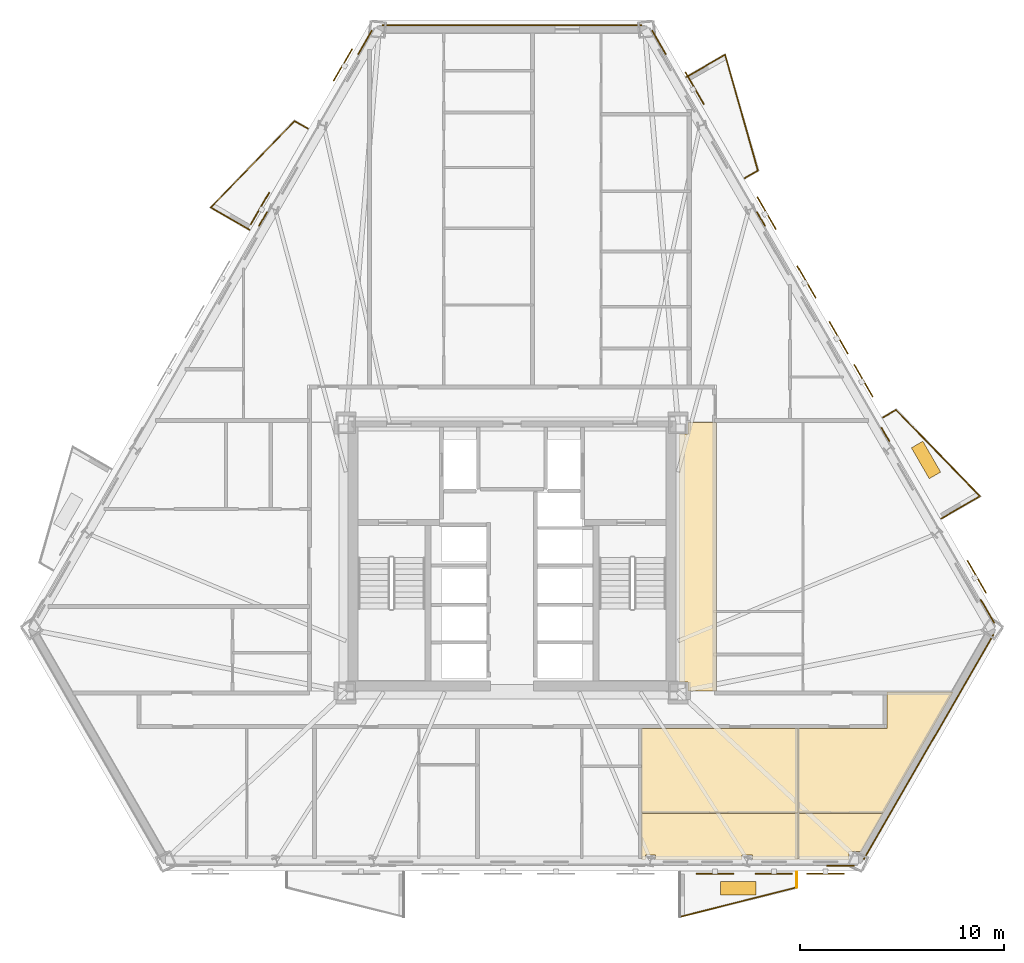
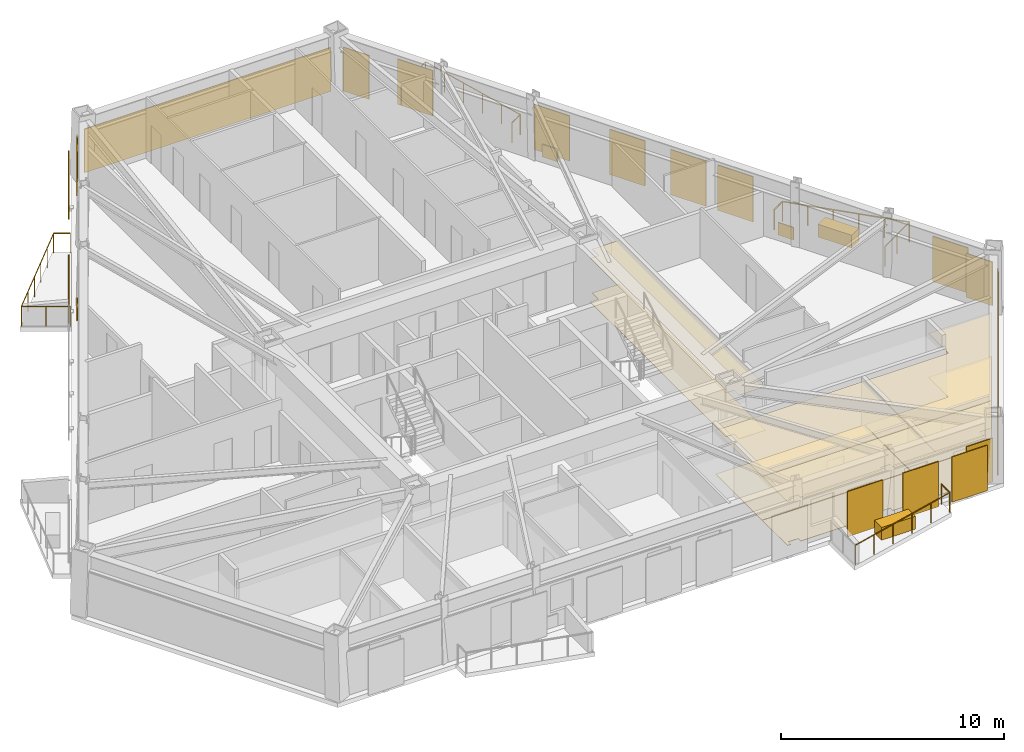
# One storey, part 10 of 10: 21 coverings, 11 railings, 11 shading devices.
"""IFC4 building model written with IfcOpenShell, lengths in metres."""

from ifc_helpers import new_model, si_unit, direction, frame, origin, origin_2d, place, context, subcontext, project, spatial, polyline, rectangle, circle, outline, extrude, material, layer, layer_set, type_object, element, save


model = new_model("IFC4")

# Units and contexts
model_context = context("Model", 3, precision=1e-05, world=origin(), true_north=direction((0.0, 1.0)))
body_context = subcontext(model_context, "Body", "Model", "MODEL_VIEW")
ifc_project = project(units=[si_unit("LENGTHUNIT", "METRE"), si_unit("AREAUNIT", "SQUARE_METRE"), si_unit("VOLUMEUNIT", "CUBIC_METRE"), si_unit("PLANEANGLEUNIT", "RADIAN"), si_unit("MASSUNIT", "GRAM", prefix="KILO")], contexts=[model_context])

# Site, building, storey
site_placement = place(None, origin())
site = spatial("IfcSite", under=ifc_project, at=site_placement, CompositionType="ELEMENT")
building_placement = place(site_placement, origin())
building = spatial("IfcBuilding", under=site, at=building_placement, Name="Oramaril Tower", CompositionType="ELEMENT")
storey_placement = place(building_placement, frame((0.0, 0.0, 74.10009765625)))
storey = spatial("IfcBuildingStorey", under=building, at=storey_placement, Name="L19", CompositionType="ELEMENT", Elevation=74.10009765625)

# Coverings
ifc_material_1 = material(Name="Mineral Fibre Acoustic Ceiling")
ifc_layer_1 = layer(ifc_material_1, 0.02001953125)
ifc_layer_set_1 = layer_set([ifc_layer_1], Name="CVT-CEIL")
covering_type_1 = type_object("IfcCoveringType", Name="CVT-CEIL", PredefinedType="CEILING", material=ifc_layer_set_1)
covering_1_placement = place(storey_placement, frame((0.0, 0.0, 2.39990234375)))
element("IfcCovering", 1, at=covering_1_placement, inside=storey, type_object=covering_type_1, Name="L19 Acoustic Suspended Ceiling 4", PredefinedType="CEILING", context=body_context, shape_type="SweptSolid", body=[
    extrude(outline(polyline([(47.530029296875, 11.050048828125), (46.14501953125, 11.050048828125), (46.14501953125, 11.4951171875), (45.719970703125, 11.4951171875), (45.719970703125, 23.655029296875), (46.14501953125, 23.655029296875), (46.14501953125, 24.219970703125), (47.530029296875, 24.219970703125), (47.530029296875, 11.050048828125)])), origin(), (0.0, 0.0, 1.0), 0.02001953125),
])
covering_2_placement = place(storey_placement, frame((0.0, 0.0, 2.39990234375)))
element("IfcCovering", 2, at=covering_2_placement, inside=storey, type_object=covering_type_1, Name="L19 Acoustic Suspended Ceiling 13", PredefinedType="CEILING", context=body_context, shape_type="SweptSolid", body=[
    extrude(outline(polyline([(51.5419921875, 5.043212890625), (43.862060546875, 5.043212890625), (43.862060546875, 7.381591796875), (43.86181640625, 7.383544921875), (43.861572265625, 7.385498046875), (43.861083984375, 7.387451171875), (43.860595703125, 7.389404296875), (43.859619140625, 7.39111328125), (43.859375, 7.3916015625), (43.859619140625, 7.39208984375), (43.860595703125, 7.393798828125), (43.861083984375, 7.395751953125), (43.861572265625, 7.397705078125), (43.86181640625, 7.399658203125), (43.862060546875, 7.401611328125), (43.862060546875, 9.199951171875), (51.5419921875, 9.199951171875), (51.5419921875, 5.043212890625)])), origin(), (0.0, 0.0, 1.0), 0.02001953125),
])
covering_3_placement = place(storey_placement, frame((0.0, 0.0, 2.39990234375)))
element("IfcCovering", 3, at=covering_3_placement, inside=storey, type_object=covering_type_1, Name="L19 Acoustic Suspended Ceiling 14", PredefinedType="CEILING", context=body_context, shape_type="SweptSolid", body=[
    extrude(outline(polyline([(49.30517578125, 2.984130859375), (48.802001953125, 2.984130859375), (48.802001953125, 2.762451171875), (44.541748046875, 2.762451171875), (44.541748046875, 2.984130859375), (44.050537109375, 2.984130859375), (44.050537109375, 2.762451171875), (43.862060546875, 2.762451171875), (43.862060546875, 5.023193359375), (51.5419921875, 5.023193359375), (51.5419921875, 2.762451171875), (49.30517578125, 2.762451171875), (49.30517578125, 2.984130859375)])), origin(), (0.0, 0.0, 1.0), 0.02001953125),
])
covering_4_placement = place(storey_placement, frame((0.0, 0.0, 2.39990234375)))
element("IfcCovering", 4, at=covering_4_placement, inside=storey, type_object=covering_type_1, Name="L19 Acoustic Suspended Ceiling 15", PredefinedType="CEILING", context=body_context, shape_type="SweptSolid", body=[
    extrude(outline(polyline([(59.157958984375, 10.991943359375), (55.723388671875, 5.043212890625), (51.56201171875, 5.043212890625), (51.56201171875, 9.199951171875), (55.8798828125, 9.199951171875), (55.882080078125, 9.2001953125), (55.8837890625, 9.200439453125), (55.8857421875, 9.200927734375), (55.8876953125, 9.201416015625), (55.889404296875, 9.202392578125), (55.89111328125, 9.203369140625), (55.892578125, 9.20458984375), (55.89404296875, 9.205810546875), (55.8955078125, 9.207275390625), (55.896484375, 9.208984375), (55.897705078125, 9.210693359375), (55.8984375, 9.21240234375), (55.899169921875, 9.214111328125), (55.899658203125, 9.216064453125), (55.89990234375, 9.218017578125), (55.89990234375, 9.219970703125), (55.89990234375, 10.991943359375), (59.157958984375, 10.991943359375)])), origin(), (0.0, 0.0, 1.0), 0.02001953125),
])
covering_5_placement = place(storey_placement, frame((0.0, 0.0, 2.39990234375)))
element("IfcCovering", 5, at=covering_5_placement, inside=storey, type_object=covering_type_1, Name="L19 Acoustic Suspended Ceiling 16", PredefinedType="CEILING", context=body_context, shape_type="SweptSolid", body=[
    extrude(outline(polyline([(54.640380859375, 3.167236328125), (54.049072265625, 3.167236328125), (54.049072265625, 2.762451171875), (51.56201171875, 2.762451171875), (51.56201171875, 5.023193359375), (55.7119140625, 5.023193359375), (54.640380859375, 3.167236328125)])), origin(), (0.0, 0.0, 1.0), 0.02001953125),
])
ifc_material_2 = material(Name="Warm Cream Limestone", Category="masonry")
ifc_layer_2 = layer(ifc_material_2, 0.050048828125)
ifc_layer_set_2 = layer_set([ifc_layer_2], Name="CVT-CLD")
covering_type_2 = type_object("IfcCoveringType", Name="CVT-CLD", PredefinedType="CLADDING", material=ifc_layer_set_2)
covering_6_placement = place(storey_placement, frame((53.618896484375, 2.46142578125, 0.039794921875), z_axis=(0.0, 0.0, 1.0), x_axis=(1.0, 0.0, 0.0)))
element("IfcCovering", 6, at=covering_6_placement, inside=storey, type_object=covering_type_2, Name="L19 Warm Cream Limestone Cladding", PredefinedType="CLADDING", context=body_context, shape_type="SweptSolid", body=[
    extrude(rectangle(XDim=1.35009765625, YDim=0.050048828125, at=origin_2d()), origin(), (0.0, 0.0, 1.0), 2.39404296875),
])
covering_7_placement = place(storey_placement, frame((57.947998046875, 8.294189453125, 0.039794921875), z_axis=(0.0, 0.0, 1.0), x_axis=(0.4999984885, 0.866026276448, 0.0)))
element("IfcCovering", 7, at=covering_7_placement, inside=storey, type_object=covering_type_2, Name="L19 Warm Cream Limestone Cladding", PredefinedType="CLADDING", context=body_context, shape_type="SweptSolid", body=[
    extrude(rectangle(XDim=12.74755859375, YDim=0.050048828125, at=origin_2d()), origin(), (0.0, 0.0, 1.0), 2.39404296875),
])
for number, where, z_axis, x_axis, name in (
    (8, (60.8349609375, 14.959716796875, 0.039794921875), (0.0, 0.0, 1.0), (-0.5, 0.866025403784, 0.0), "L19 Warm Cream Limestone Cladding"),
    (9, (44.7158203125, 42.87890625, 0.039794921875), (0.0, 0.0, 1.0), (-0.5, 0.866025403784, 0.0), "L19 Warm Cream Limestone Cladding"),
):
    element("IfcCovering", number, at=place(storey_placement, frame(where, z_axis=z_axis, x_axis=x_axis)), inside=storey, type_object=covering_type_2, Name=name, PredefinedType="CLADDING", context=body_context, shape_type="SweptSolid", body=[
        extrude(rectangle(XDim=1.35009765625, YDim=0.050048828125, at=origin_2d()), origin(), (0.0, 0.0, 1.0), 2.39404296875),
    ])
for number, where, z_axis, x_axis, name in (
    (10, (55.829833984375, 23.62890625, 0.0400390625), (0.0, 0.0, 1.0), (-0.5, 0.866025403784, 0.0), "L19 Warm Cream Limestone Spandrel Cladding"),
    (11, (49.720947265625, 34.209716796875, 0.0400390625), (0.0, 0.0, 1.0), (-0.5, 0.866025403784, 0.0), "L19 Warm Cream Limestone Spandrel Cladding"),
):
    element("IfcCovering", number, at=place(storey_placement, frame(where, z_axis=z_axis, x_axis=x_axis)), inside=storey, type_object=covering_type_2, Name=name, PredefinedType="CLADDING", context=body_context, shape_type="SweptSolid", body=[
        extrude(rectangle(XDim=0.800048828125, YDim=0.050048828125, at=origin_2d()), origin(), (0.0, 0.0, 1.0), 0.679931640625),
    ])
covering_8_placement = place(storey_placement, frame((37.5, 43.71142578125, 0.039794921875), z_axis=(0.0, 0.0, 1.0), x_axis=(-1.0, 0.0, 0.0)))
element("IfcCovering", 12, at=covering_8_placement, inside=storey, type_object=covering_type_2, Name="L19 Warm Cream Limestone Cladding", PredefinedType="CLADDING", context=body_context, shape_type="SweptSolid", body=[
    extrude(rectangle(XDim=12.74755859375, YDim=0.050048828125, at=origin_2d()), origin(), (0.0, 0.0, 1.0), 2.39404296875),
])
covering_9_placement = place(storey_placement, frame((30.2841796875, 42.87890625, 0.039794921875), z_axis=(0.0, 0.0, 1.0), x_axis=(-0.5, -0.866025403784, 0.0)))
element("IfcCovering", 13, at=covering_9_placement, inside=storey, type_object=covering_type_2, Name="L19 Warm Cream Limestone Cladding", PredefinedType="CLADDING", context=body_context, shape_type="SweptSolid", body=[
    extrude(rectangle(XDim=1.35009765625, YDim=0.050048828125, at=origin_2d()), origin(), (0.0, 0.0, 1.0), 2.39404296875),
])
covering_10_placement = place(storey_placement, frame((25.279052734375, 34.209716796875, 0.0400390625), z_axis=(0.0, 0.0, 1.0), x_axis=(-0.5, -0.866025403784, 0.0)))
element("IfcCovering", 14, at=covering_10_placement, inside=storey, type_object=covering_type_2, Name="L19 Warm Cream Limestone Spandrel Cladding", PredefinedType="CLADDING", context=body_context, shape_type="SweptSolid", body=[
    extrude(rectangle(XDim=0.800048828125, YDim=0.050048828125, at=origin_2d()), origin(), (0.0, 0.0, 1.0), 0.679931640625),
])
for number, where, z_axis, x_axis, name in (
    (15, (48.609619140625, 1.35791015625, 0.0), (0.0, 0.0, 1.0), (1.0, 0.0, 0.0), "L19 Structural Tree Planter Box L19-BAL-S2"),
    (16, (57.823486328125, 22.383056640625, 0.0), (0.0, 0.0, 1.0), (-0.5, 0.866025403784, 0.0), "L19 Structural Tree Planter Box L19-BAL-NE1"),
):
    element("IfcCovering", number, at=place(storey_placement, frame(where, z_axis=z_axis, x_axis=x_axis)), inside=storey, type_object=covering_type_2, Name=name, PredefinedType="CLADDING", context=body_context, shape_type="SweptSolid", body=[
        extrude(rectangle(XDim=1.75, YDim=0.64990234375, at=origin_2d()), origin(), (0.0, 0.0, 1.0), 0.699951171875),
    ])
ifc_material_3 = material(Name="Honed Quartzite Stone Flooring", Category="masonry")
ifc_layer_3 = layer(ifc_material_3, 0.02490234375)
ifc_layer_set_3 = layer_set([ifc_layer_3], Name="CVT-FLR")
covering_type_3 = type_object("IfcCoveringType", Name="CVT-FLR", PredefinedType="FLOORING", material=ifc_layer_set_3)
covering_11_placement = place(storey_placement, origin())
element("IfcCovering", 17, at=covering_11_placement, inside=storey, type_object=covering_type_3, Name="L19 Honed Stone Floor Finish 4", PredefinedType="FLOORING", context=body_context, shape_type="SweptSolid", body=[
    extrude(outline(polyline([(47.530029296875, 11.050048828125), (46.14501953125, 11.050048828125), (46.14501953125, 11.4951171875), (45.719970703125, 11.4951171875), (45.719970703125, 23.655029296875), (46.14501953125, 23.655029296875), (46.14501953125, 24.219970703125), (47.530029296875, 24.219970703125), (47.530029296875, 11.050048828125)])), origin(), (0.0, 0.0, 1.0), 0.02490234375),
])
covering_12_placement = place(storey_placement, origin())
element("IfcCovering", 18, at=covering_12_placement, inside=storey, type_object=covering_type_3, Name="L19 Honed Stone Floor Finish 13", PredefinedType="FLOORING", context=body_context, shape_type="SweptSolid", body=[
    extrude(outline(polyline([(51.5419921875, 5.043212890625), (43.862060546875, 5.043212890625), (43.862060546875, 7.381591796875), (43.86181640625, 7.383544921875), (43.861572265625, 7.385498046875), (43.861083984375, 7.387451171875), (43.860595703125, 7.389404296875), (43.859619140625, 7.39111328125), (43.859375, 7.3916015625), (43.859619140625, 7.39208984375), (43.860595703125, 7.393798828125), (43.861083984375, 7.395751953125), (43.861572265625, 7.397705078125), (43.86181640625, 7.399658203125), (43.862060546875, 7.401611328125), (43.862060546875, 9.199951171875), (51.5419921875, 9.199951171875), (51.5419921875, 5.043212890625)])), origin(), (0.0, 0.0, 1.0), 0.02490234375),
])
covering_13_placement = place(storey_placement, origin())
element("IfcCovering", 19, at=covering_13_placement, inside=storey, type_object=covering_type_3, Name="L19 Honed Stone Floor Finish 14", PredefinedType="FLOORING", context=body_context, shape_type="SweptSolid", body=[
    extrude(outline(polyline([(49.30517578125, 2.984130859375), (48.802001953125, 2.984130859375), (48.802001953125, 2.762451171875), (44.541748046875, 2.762451171875), (44.541748046875, 2.984130859375), (44.050537109375, 2.984130859375), (44.050537109375, 2.762451171875), (43.862060546875, 2.762451171875), (43.862060546875, 5.023193359375), (51.5419921875, 5.023193359375), (51.5419921875, 2.762451171875), (49.30517578125, 2.762451171875), (49.30517578125, 2.984130859375)])), origin(), (0.0, 0.0, 1.0), 0.02490234375),
])
covering_14_placement = place(storey_placement, origin())
element("IfcCovering", 20, at=covering_14_placement, inside=storey, type_object=covering_type_3, Name="L19 Honed Stone Floor Finish 15", PredefinedType="FLOORING", context=body_context, shape_type="SweptSolid", body=[
    extrude(outline(polyline([(59.157958984375, 10.991943359375), (55.723388671875, 5.043212890625), (51.56201171875, 5.043212890625), (51.56201171875, 9.199951171875), (55.8798828125, 9.199951171875), (55.882080078125, 9.2001953125), (55.8837890625, 9.200439453125), (55.8857421875, 9.200927734375), (55.8876953125, 9.201416015625), (55.889404296875, 9.202392578125), (55.89111328125, 9.203369140625), (55.892578125, 9.20458984375), (55.89404296875, 9.205810546875), (55.8955078125, 9.207275390625), (55.896484375, 9.208984375), (55.897705078125, 9.210693359375), (55.8984375, 9.21240234375), (55.899169921875, 9.214111328125), (55.899658203125, 9.216064453125), (55.89990234375, 9.218017578125), (55.89990234375, 9.219970703125), (55.89990234375, 10.991943359375), (59.157958984375, 10.991943359375)])), origin(), (0.0, 0.0, 1.0), 0.02490234375),
])
covering_15_placement = place(storey_placement, origin())
element("IfcCovering", 21, at=covering_15_placement, inside=storey, type_object=covering_type_3, Name="L19 Honed Stone Floor Finish 16", PredefinedType="FLOORING", context=body_context, shape_type="SweptSolid", body=[
    extrude(outline(polyline([(54.640380859375, 3.167236328125), (54.049072265625, 3.167236328125), (54.049072265625, 2.762451171875), (51.56201171875, 2.762451171875), (51.56201171875, 5.023193359375), (55.7119140625, 5.023193359375), (54.640380859375, 3.167236328125)])), origin(), (0.0, 0.0, 1.0), 0.02490234375),
])

# Railings
ifc_material_4 = material(Name="Stainless Steel 316L", Category="steel")
railing_type = type_object("IfcRailingType", Name="RLT-GRD", PredefinedType="GUARDRAIL", material=ifc_material_4)
railing_1_placement = place(storey_placement, frame((51.474609375, 2.146484375, 0.0)))
element("IfcRailing", 22, at=railing_1_placement, inside=storey, type_object=railing_type, Name="L19 Balcony Guardrail L19-BAL-S2.1", PredefinedType="GUARDRAIL", context=body_context, shape_type="SweptSolid", body=[
    extrude(circle(Radius=0.02392578125, at=origin_2d()), frame((0.0, 0.0, 1.076171875), z_axis=(0.0, -1.0, 0.0), x_axis=(1.0, 0.0, 0.0)), (0.0, 0.0, 1.0), 0.7421875),
    extrude(circle(Radius=0.02099609375, at=origin_2d()), origin(), (0.0, 0.0, 1.0), 1.052001953125),
    extrude(circle(Radius=0.02099609375, at=origin_2d()), frame((0.0, -0.7421875, 0.0)), (0.0, 0.0, 1.0), 1.052001953125),
])
railing_2_placement = place(storey_placement, frame((51.474609375, 1.404296875, 0.0)))
element("IfcRailing", 23, at=railing_2_placement, inside=storey, type_object=railing_type, Name="L19 Balcony Guardrail L19-BAL-S2.2", PredefinedType="GUARDRAIL", context=body_context, shape_type="SweptSolid", body=[
    extrude(circle(Radius=0.02392578125, at=origin_2d()), frame((0.0, 0.0, 1.076171875), z_axis=(-0.969443611257, -0.245314256807, 0.0), x_axis=(0.245314256807, -0.969443611257, 0.0)), (0.0, 0.0, 1.0), 5.91064453125),
    extrude(circle(Radius=0.02099609375, at=origin_2d()), origin(), (0.0, 0.0, 1.0), 1.052001953125),
    extrude(circle(Radius=0.02099609375, at=origin_2d()), frame((-1.14599609375, -0.2900390625, 0.0)), (0.0, 0.0, 1.0), 1.052001953125),
    extrude(circle(Radius=0.02099609375, at=origin_2d()), frame((-2.2919921875, -0.580078125, 0.0)), (0.0, 0.0, 1.0), 1.052001953125),
    extrude(circle(Radius=0.02099609375, at=origin_2d()), frame((-3.43798828125, -0.869873046875, 0.0)), (0.0, 0.0, 1.0), 1.052001953125),
    extrude(circle(Radius=0.02099609375, at=origin_2d()), frame((-4.583984375, -1.159912109375, 0.0)), (0.0, 0.0, 1.0), 1.052001953125),
    extrude(circle(Radius=0.02099609375, at=origin_2d()), frame((-5.72998046875, -1.449951171875, 0.0)), (0.0, 0.0, 1.0), 1.052001953125),
])
railing_3_placement = place(storey_placement, frame((55.7080078125, 24.469970703125, 0.0)))
element("IfcRailing", 24, at=railing_3_placement, inside=storey, type_object=railing_type, Name="L19 Balcony Guardrail L19-BAL-NE1.1", PredefinedType="GUARDRAIL", context=body_context, shape_type="SweptSolid", body=[
    extrude(circle(Radius=0.02392578125, at=origin_2d()), frame((0.0, 0.0, 1.076171875), z_axis=(0.866108878364, 0.499855389907, 0.0), x_axis=(-0.499855389907, 0.866108878364, 0.0)), (0.0, 0.0, 1.0), 0.741943359375),
    extrude(circle(Radius=0.02099609375, at=origin_2d()), origin(), (0.0, 0.0, 1.0), 1.052001953125),
    extrude(circle(Radius=0.02099609375, at=origin_2d()), frame((0.642578125, 0.370849609375, 0.0)), (0.0, 0.0, 1.0), 1.052001953125),
])
railing_4_placement = place(storey_placement, frame((56.3505859375, 24.8408203125, 0.0)))
element("IfcRailing", 25, at=railing_4_placement, inside=storey, type_object=railing_type, Name="L19 Balcony Guardrail L19-BAL-NE1.2", PredefinedType="GUARDRAIL", context=body_context, shape_type="SweptSolid", body=[
    extrude(circle(Radius=0.02392578125, at=origin_2d()), frame((0.0, 0.0, 1.076171875), z_axis=(0.697186915353, -0.716889395277, 0.0), x_axis=(0.716889395277, 0.697186915353, 0.0)), (0.0, 0.0, 1.0), 5.91064453125),
    extrude(circle(Radius=0.02099609375, at=origin_2d()), origin(), (0.0, 0.0, 1.0), 1.052001953125),
    extrude(circle(Radius=0.02099609375, at=origin_2d()), frame((0.82421875, -0.847412109375, 0.0)), (0.0, 0.0, 1.0), 1.052001953125),
    extrude(circle(Radius=0.02099609375, at=origin_2d()), frame((1.6484375, -1.69482421875, 0.0)), (0.0, 0.0, 1.0), 1.052001953125),
    extrude(circle(Radius=0.02099609375, at=origin_2d()), frame((2.472412109375, -2.54248046875, 0.0)), (0.0, 0.0, 1.0), 1.052001953125),
    extrude(circle(Radius=0.02099609375, at=origin_2d()), frame((3.296630859375, -3.389892578125, 0.0)), (0.0, 0.0, 1.0), 1.052001953125),
    extrude(circle(Radius=0.02099609375, at=origin_2d()), frame((4.120849609375, -4.2373046875, 0.0)), (0.0, 0.0, 1.0), 1.052001953125),
])
railing_5_placement = place(storey_placement, frame((60.471435546875, 20.603515625, 0.0)))
element("IfcRailing", 26, at=railing_5_placement, inside=storey, type_object=railing_type, Name="L19 Balcony Guardrail L19-BAL-NE1.3", PredefinedType="GUARDRAIL", context=body_context, shape_type="SweptSolid", body=[
    extrude(circle(Radius=0.02392578125, at=origin_2d()), frame((0.0, 0.0, 1.076171875), z_axis=(-0.866048343933, -0.499960264392, 0.0), x_axis=(0.499960264392, -0.866048343933, 0.0)), (0.0, 0.0, 1.0), 2.192138671875),
    extrude(circle(Radius=0.02099609375, at=origin_2d()), origin(), (0.0, 0.0, 1.0), 1.052001953125),
    extrude(circle(Radius=0.02099609375, at=origin_2d()), frame((-0.94921875, -0.5478515625, 0.0)), (0.0, 0.0, 1.0), 1.052001953125),
    extrude(circle(Radius=0.02099609375, at=origin_2d()), frame((-1.8984375, -1.095947265625, 0.0)), (0.0, 0.0, 1.0), 1.052001953125),
])
railing_6_placement = place(storey_placement, frame((46.06103515625, 41.17919921875, 0.0)))
element("IfcRailing", 27, at=railing_6_placement, inside=storey, type_object=railing_type, Name="L19 Balcony Guardrail L19-BAL-NE2.1", PredefinedType="GUARDRAIL", context=body_context, shape_type="SweptSolid", body=[
    extrude(circle(Radius=0.02392578125, at=origin_2d()), frame((0.0, 0.0, 1.076171875), z_axis=(0.866020500697, 0.5000084923, 0.0), x_axis=(-0.5000084923, 0.866020500697, 0.0)), (0.0, 0.0, 1.0), 2.19189453125),
    extrude(circle(Radius=0.02099609375, at=origin_2d()), origin(), (0.0, 0.0, 1.0), 1.052001953125),
    extrude(circle(Radius=0.02099609375, at=origin_2d()), frame((0.94921875, 0.5478515625, 0.0)), (0.0, 0.0, 1.0), 1.052001953125),
    extrude(circle(Radius=0.02099609375, at=origin_2d()), frame((1.898193359375, 1.095947265625, 0.0)), (0.0, 0.0, 1.0), 1.052001953125),
])
railing_7_placement = place(storey_placement, frame((47.959228515625, 42.275146484375, 0.0)))
element("IfcRailing", 28, at=railing_7_placement, inside=storey, type_object=railing_type, Name="L19 Balcony Guardrail L19-BAL-NE2.2", PredefinedType="GUARDRAIL", context=body_context, shape_type="SweptSolid", body=[
    extrude(circle(Radius=0.02392578125, at=origin_2d()), frame((0.0, 0.0, 1.076171875), z_axis=(0.272287109361, -0.962216051662, 0.0), x_axis=(0.962216051662, 0.272287109361, 0.0)), (0.0, 0.0, 1.0), 5.91064453125),
    extrude(circle(Radius=0.02099609375, at=origin_2d()), origin(), (0.0, 0.0, 1.0), 1.052001953125),
    extrude(circle(Radius=0.02099609375, at=origin_2d()), frame((0.32177734375, -1.137451171875, 0.0)), (0.0, 0.0, 1.0), 1.052001953125),
    extrude(circle(Radius=0.02099609375, at=origin_2d()), frame((0.643798828125, -2.27490234375, 0.0)), (0.0, 0.0, 1.0), 1.052001953125),
    extrude(circle(Radius=0.02099609375, at=origin_2d()), frame((0.965576171875, -3.412353515625, 0.0)), (0.0, 0.0, 1.0), 1.052001953125),
    extrude(circle(Radius=0.02099609375, at=origin_2d()), frame((1.28759765625, -4.5498046875, 0.0)), (0.0, 0.0, 1.0), 1.052001953125),
    extrude(circle(Radius=0.02099609375, at=origin_2d()), frame((1.609375, -5.687255859375, 0.0)), (0.0, 0.0, 1.0), 1.052001953125),
])
railing_8_placement = place(storey_placement, frame((49.568603515625, 36.587890625, 0.0)))
element("IfcRailing", 29, at=railing_8_placement, inside=storey, type_object=railing_type, Name="L19 Balcony Guardrail L19-BAL-NE2.3", PredefinedType="GUARDRAIL", context=body_context, shape_type="SweptSolid", body=[
    extrude(circle(Radius=0.02392578125, at=origin_2d()), frame((0.0, 0.0, 1.076171875), z_axis=(-0.865966403178, -0.500102178127, 0.0), x_axis=(0.500102178127, -0.865966403178, 0.0)), (0.0, 0.0, 1.0), 0.741943359375),
    extrude(circle(Radius=0.02099609375, at=origin_2d()), origin(), (0.0, 0.0, 1.0), 1.052001953125),
    extrude(circle(Radius=0.02099609375, at=origin_2d()), frame((-0.642578125, -0.37109375, 0.0)), (0.0, 0.0, 1.0), 1.052001953125),
])
railing_9_placement = place(storey_placement, frame((24.611572265625, 33.68359375, 0.0)))
element("IfcRailing", 30, at=railing_9_placement, inside=storey, type_object=railing_type, Name="L19 Balcony Guardrail L19-BAL-NW1.1", PredefinedType="GUARDRAIL", context=body_context, shape_type="SweptSolid", body=[
    extrude(circle(Radius=0.02392578125, at=origin_2d()), frame((0.0, 0.0, 1.076171875), z_axis=(-0.866000118559, 0.500043792738, 0.0), x_axis=(-0.500043792738, -0.866000118559, 0.0)), (0.0, 0.0, 1.0), 2.192138671875),
    extrude(circle(Radius=0.02099609375, at=origin_2d()), origin(), (0.0, 0.0, 1.0), 1.052001953125),
    extrude(circle(Radius=0.02099609375, at=origin_2d()), frame((-0.94921875, 0.548095703125, 0.0)), (0.0, 0.0, 1.0), 1.052001953125),
    extrude(circle(Radius=0.02099609375, at=origin_2d()), frame((-1.8984375, 1.09619140625, 0.0)), (0.0, 0.0, 1.0), 1.052001953125),
])
railing_10_placement = place(storey_placement, frame((22.713134765625, 34.77978515625, 0.0)))
element("IfcRailing", 31, at=railing_10_placement, inside=storey, type_object=railing_type, Name="L19 Balcony Guardrail L19-BAL-NW1.2", PredefinedType="GUARDRAIL", context=body_context, shape_type="SweptSolid", body=[
    extrude(circle(Radius=0.02392578125, at=origin_2d()), frame((0.0, 0.0, 1.076171875), z_axis=(0.697186915353, 0.716889395277, 0.0), x_axis=(-0.716889395277, 0.697186915353, 0.0)), (0.0, 0.0, 1.0), 5.91064453125),
    extrude(circle(Radius=0.02099609375, at=origin_2d()), origin(), (0.0, 0.0, 1.0), 1.052001953125),
    extrude(circle(Radius=0.02099609375, at=origin_2d()), frame((0.82421875, 0.847412109375, 0.0)), (0.0, 0.0, 1.0), 1.052001953125),
    extrude(circle(Radius=0.02099609375, at=origin_2d()), frame((1.6484375, 1.69482421875, 0.0)), (0.0, 0.0, 1.0), 1.052001953125),
    extrude(circle(Radius=0.02099609375, at=origin_2d()), frame((2.472412109375, 2.54248046875, 0.0)), (0.0, 0.0, 1.0), 1.052001953125),
    extrude(circle(Radius=0.02099609375, at=origin_2d()), frame((3.296630859375, 3.389892578125, 0.0)), (0.0, 0.0, 1.0), 1.052001953125),
    extrude(circle(Radius=0.02099609375, at=origin_2d()), frame((4.120849609375, 4.2373046875, 0.0)), (0.0, 0.0, 1.0), 1.052001953125),
])
railing_11_placement = place(storey_placement, frame((26.833984375, 39.01708984375, 0.0)))
element("IfcRailing", 32, at=railing_11_placement, inside=storey, type_object=railing_type, Name="L19 Balcony Guardrail L19-BAL-NW1.3", PredefinedType="GUARDRAIL", context=body_context, shape_type="SweptSolid", body=[
    extrude(circle(Radius=0.02392578125, at=origin_2d()), frame((0.0, 0.0, 1.076171875), z_axis=(0.865966403178, -0.500102178127, 0.0), x_axis=(0.500102178127, 0.865966403178, 0.0)), (0.0, 0.0, 1.0), 0.741943359375),
    extrude(circle(Radius=0.02099609375, at=origin_2d()), origin(), (0.0, 0.0, 1.0), 1.052001953125),
    extrude(circle(Radius=0.02099609375, at=origin_2d()), frame((0.642578125, -0.37109375, 0.0)), (0.0, 0.0, 1.0), 1.052001953125),
])

# Shading devices
for number, where, z_axis, x_axis, name in (
    (33, (47.46923828125, 2.074462890625, -0.020263671875), (0.0, 0.0, 1.0), (1.0, 0.0, 0.0), "L19 Perforated Ceramic Solar Screen"),
    (34, (50.35107421875, 2.074462890625, -0.020263671875), (0.0, 0.0, 1.0), (1.0, 0.0, 0.0), "L19 Perforated Ceramic Solar Screen"),
    (35, (52.884765625, 2.074462890625, -0.020263671875), (0.0, 0.0, 1.0), (1.0, 0.0, 0.0), "L19 Perforated Ceramic Solar Screen"),
    (36, (60.31005859375, 16.64306640625, -0.020263671875), (0.0, 0.0, 1.0), (-0.5, 0.866025403784, 0.0), "L19 Perforated Ceramic Solar Screen"),
    (37, (46.466064453125, 40.621337890625, -0.020263671875), (0.0, 0.0, 1.0), (-0.5, 0.866025403784, 0.0), "L19 Perforated Ceramic Solar Screen"),
    (38, (51.951171875, 31.12109375, -0.020263671875), (0.0, 0.0, 1.0), (-0.5, 0.866025403784, 0.0), "L19 Perforated Ceramic Solar Screen"),
    (39, (50.001220703125, 34.49853515625, -0.020263671875), (0.0, 0.0, 1.0), (-0.5, 0.866025403784, 0.0), "L19 Perforated Ceramic Solar Screen"),
    (40, (54.7529296875, 26.26806640625, -0.020263671875), (0.0, 0.0, 1.0), (-0.5, 0.866025403784, 0.0), "L19 Perforated Ceramic Solar Screen"),
    (41, (53.532470703125, 28.382080078125, -0.020263671875), (0.0, 0.0, 1.0), (-0.5, 0.866025403784, 0.0), "L19 Perforated Ceramic Solar Screen"),
    (42, (29.196533203125, 41.769287109375, -0.020263671875), (0.0, 0.0, 1.0), (-0.5, -0.866025403784, 0.0), "L19 Perforated Ceramic Solar Screen"),
    (43, (25.131591796875, 34.728515625, -0.020263671875), (0.0, 0.0, 1.0), (-0.5, -0.866025403784, 0.0), "L19 Perforated Ceramic Solar Screen"),
):
    element("IfcShadingDevice", number, at=place(storey_placement, frame(where, z_axis=z_axis, x_axis=x_axis)), inside=storey, Name=name, ObjectType="SCREEN", PredefinedType="USERDEFINED", context=body_context, shape_type="SweptSolid", body=[
        extrude(rectangle(XDim=1.8330078125, YDim=0.050048828125, at=origin_2d()), origin(), (0.0, 0.0, 1.0), 2.47412109375),
    ])

save(model, "model.ifc")
